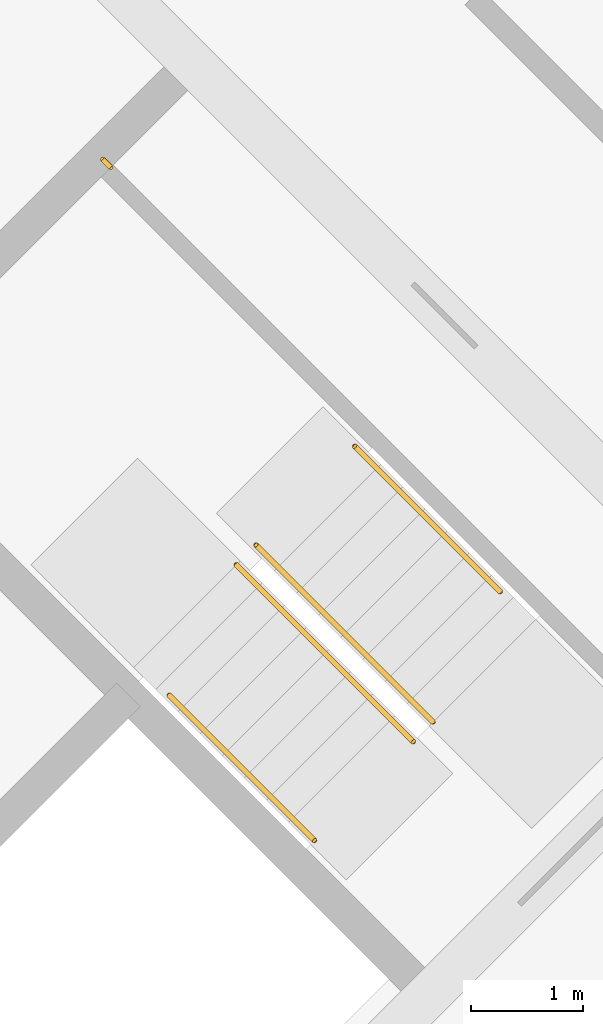
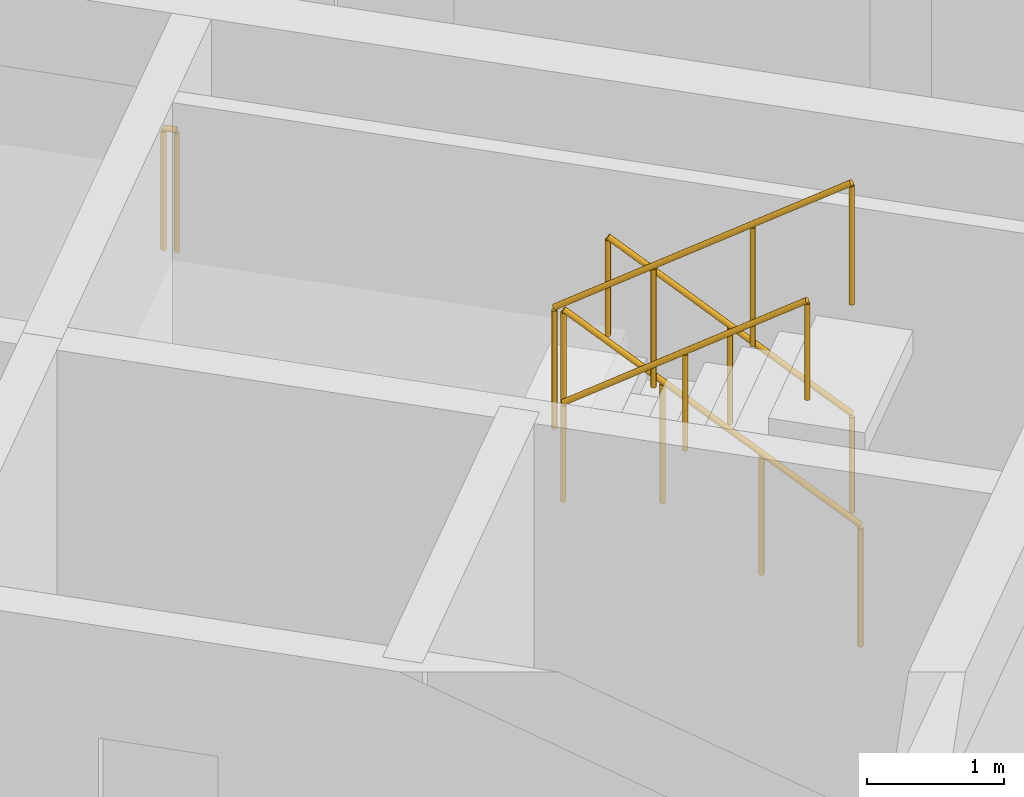
# One storey, part 12 of 12: 5 railings.
"""IFC4 building model written with IfcOpenShell, lengths in metres."""

from ifc_helpers import new_model, si_unit, direction, frame, origin, origin_2d, place, context, subcontext, project, spatial, circle, extrude, material, type_object, element, save


model = new_model("IFC4")

# Units and contexts
model_context = context("Model", 3, precision=1e-05, world=origin(), true_north=direction((0.0, 1.0)))
body_context = subcontext(model_context, "Body", "Model", "MODEL_VIEW")
ifc_project = project(units=[si_unit("LENGTHUNIT", "METRE"), si_unit("AREAUNIT", "SQUARE_METRE"), si_unit("VOLUMEUNIT", "CUBIC_METRE"), si_unit("PLANEANGLEUNIT", "RADIAN"), si_unit("MASSUNIT", "GRAM", prefix="KILO")], contexts=[model_context])

# Site, building, storey
site_placement = place(None, origin())
site = spatial("IfcSite", under=ifc_project, at=site_placement, CompositionType="ELEMENT")
building_placement = place(site_placement, origin())
building = spatial("IfcBuilding", under=site, at=building_placement, Name="Windrow Commons", CompositionType="ELEMENT")
storey_placement = place(building_placement, frame((0.0, 0.0, 257.4)))
storey = spatial("IfcBuildingStorey", under=building, at=storey_placement, Name="L70", CompositionType="ELEMENT", Elevation=257.4)

# Railings
ifc_material_1 = material(Name="Steel S355", Category="steel")
railing_type_1 = type_object("IfcRailingType", Name="Core stair guard 1100", PredefinedType="GUARDRAIL", material=ifc_material_1)
railing_1_placement = place(storey_placement, frame((94.2296, 48.4215, 0.1889)))
element("IfcRailing", 1, at=railing_1_placement, inside=storey, type_object=railing_type_1, Name="L70 ST-B2 stair guard 1", PredefinedType="GUARDRAIL", context=body_context, shape_type="SweptSolid", body=[
    extrude(circle(Radius=0.024, at=origin_2d()), frame((0.0, 0.0, 1.076), z_axis=(-0.5862157828, 0.5861787742, 0.5592365337), x_axis=(-0.7070844598, -0.7071291018, 0.0)), (0.0, 0.0, 1.0), 2.7021),
    extrude(circle(Radius=0.021, at=origin_2d()), origin(), (0.0, 0.0, 1.0), 1.052),
    extrude(circle(Radius=0.021, at=origin_2d()), frame((-0.528, 0.528, 0.5037)), (0.0, 0.0, 1.0), 1.052),
    extrude(circle(Radius=0.021, at=origin_2d()), frame((-1.056, 1.0559, 1.0074)), (0.0, 0.0, 1.0), 1.052),
    extrude(circle(Radius=0.021, at=origin_2d()), frame((-1.584, 1.5839, 1.5111)), (0.0, 0.0, 1.0), 1.052),
])
railing_2_placement = place(storey_placement, frame((92.4689, 49.8287, 1.8889)))
element("IfcRailing", 2, at=railing_2_placement, inside=storey, type_object=railing_type_1, Name="L70 ST-B2 stair guard 2", PredefinedType="GUARDRAIL", context=body_context, shape_type="SweptSolid", body=[
    extrude(circle(Radius=0.024, at=origin_2d()), frame((0.0, 0.0, 1.076), z_axis=(0.5861787742, -0.5862157828, 0.5592365337), x_axis=(0.7071291018, 0.7070844598, 0.0)), (0.0, 0.0, 1.0), 2.7021),
    extrude(circle(Radius=0.021, at=origin_2d()), origin(), (0.0, 0.0, 1.0), 1.052),
    extrude(circle(Radius=0.021, at=origin_2d()), frame((0.528, -0.528, 0.5037)), (0.0, 0.0, 1.0), 1.052),
    extrude(circle(Radius=0.021, at=origin_2d()), frame((1.0559, -1.056, 1.0074)), (0.0, 0.0, 1.0), 1.052),
    extrude(circle(Radius=0.021, at=origin_2d()), frame((1.5839, -1.584, 1.5111)), (0.0, 0.0, 1.0), 1.052),
])
railing_3_placement = place(storey_placement, frame((91.3446, 53.3854, 1.7)))
element("IfcRailing", 3, at=railing_3_placement, inside=storey, type_object=railing_type_1, Name="L70 ST-B2 stair guard 3", PredefinedType="GUARDRAIL", context=body_context, shape_type="SweptSolid", body=[
    extrude(circle(Radius=0.024, at=origin_2d()), frame((0.0, 0.0, 1.076), z_axis=(-0.7076063266, 0.7066068826, 0.0), x_axis=(-0.7066068826, -0.7076063266, 0.0)), (0.0, 0.0, 1.0), 0.1001),
    extrude(circle(Radius=0.021, at=origin_2d()), origin(), (0.0, 0.0, 1.0), 1.052),
    extrude(circle(Radius=0.021, at=origin_2d()), frame((-0.0708, 0.0707, 0.0)), (0.0, 0.0, 1.0), 1.052),
])
ifc_material_2 = material(Name="Steel S355", Category="steel")
railing_type_2 = type_object("IfcRailingType", Name="Core stair handrail 900", PredefinedType="HANDRAIL", material=ifc_material_2)
railing_4_placement = place(storey_placement, frame((94.8306, 49.5883, 0.4587)))
element("IfcRailing", 4, at=railing_4_placement, inside=storey, type_object=railing_type_2, Name="L70 ST-B2 stair handrail 1", PredefinedType="HANDRAIL", context=body_context, shape_type="SweptSolid", body=[
    extrude(circle(Radius=0.024, at=origin_2d()), frame((0.0, 0.0, 0.876), z_axis=(-0.586206706, 0.5861616513, 0.5592639952), x_axis=(-0.7070796062, -0.7071339551, 0.0)), (0.0, 0.0, 1.0), 2.2195),
    extrude(circle(Radius=0.021, at=origin_2d()), origin(), (0.0, 0.0, 1.0), 0.852),
    extrude(circle(Radius=0.021, at=origin_2d()), frame((-0.6506, 0.6505, 0.6207)), (0.0, 0.0, 1.0), 0.852),
    extrude(circle(Radius=0.021, at=origin_2d()), frame((-1.3011, 1.301, 1.2413)), (0.0, 0.0, 1.0), 0.852),
])
railing_5_placement = place(storey_placement, frame((91.8678, 48.6619, 2.1587)))
element("IfcRailing", 5, at=railing_5_placement, inside=storey, type_object=railing_type_2, Name="L70 ST-B2 stair handrail 2", PredefinedType="HANDRAIL", context=body_context, shape_type="SweptSolid", body=[
    extrude(circle(Radius=0.024, at=origin_2d()), frame((0.0, 0.0, 0.876), z_axis=(0.586206706, -0.5861616513, 0.5592639952), x_axis=(0.7070796062, 0.7071339551, 0.0)), (0.0, 0.0, 1.0), 2.2195),
    extrude(circle(Radius=0.021, at=origin_2d()), origin(), (0.0, 0.0, 1.0), 0.852),
    extrude(circle(Radius=0.021, at=origin_2d()), frame((0.6505, -0.6505, 0.6207)), (0.0, 0.0, 1.0), 0.852),
    extrude(circle(Radius=0.021, at=origin_2d()), frame((1.3011, -1.301, 1.2413)), (0.0, 0.0, 1.0), 0.852),
])

save(model, "model.ifc")
